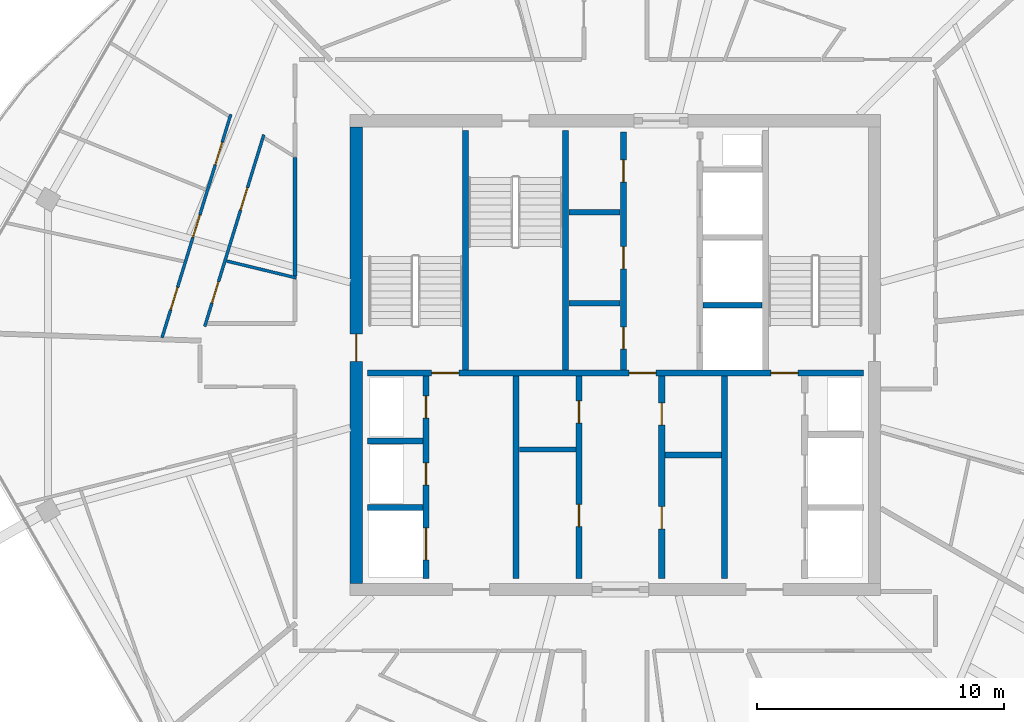
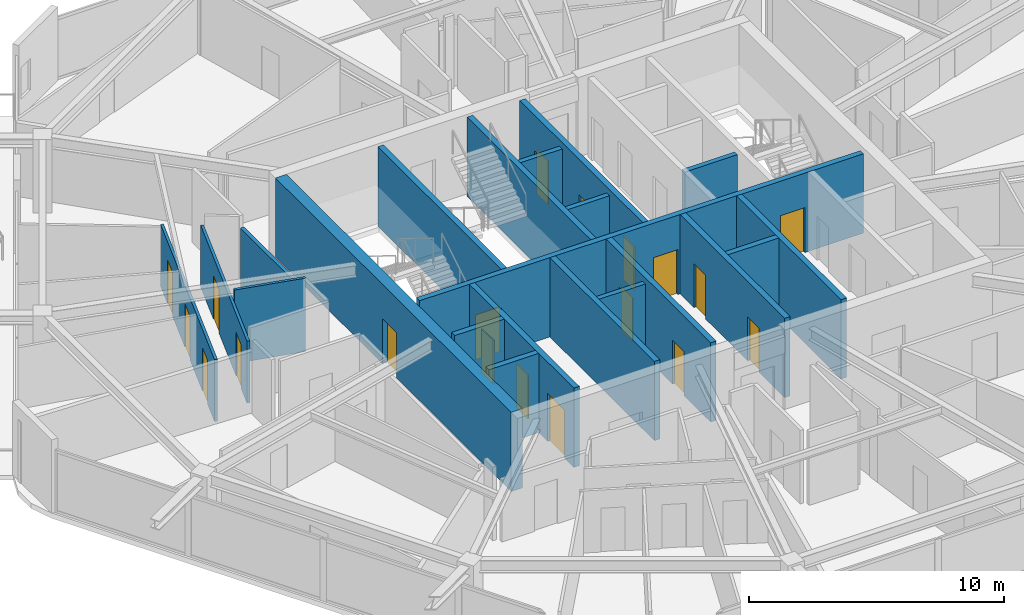
# One storey, part 16 of 23: 21 walls, 19 doors, 19 openings.
"""IFC4 building model written with IfcOpenShell, lengths in metres."""

from ifc_helpers import new_model, si_unit, direction, frame, frame_2d, origin, place, context, subcontext, project, spatial, rectangle, extrude, material, layer, layer_set, type_object, element, fill, save


model = new_model("IFC4")

# Units and contexts
model_context = context("Model", 3, precision=1e-05, world=origin(), true_north=direction((0.0, 1.0)))
body_context = subcontext(model_context, "Body", "Model", "MODEL_VIEW")
ifc_project = project(units=[si_unit("LENGTHUNIT", "METRE"), si_unit("AREAUNIT", "SQUARE_METRE"), si_unit("VOLUMEUNIT", "CUBIC_METRE"), si_unit("PLANEANGLEUNIT", "RADIAN"), si_unit("MASSUNIT", "GRAM", prefix="KILO")], contexts=[model_context])

# Site, building, storey
site_placement = place(None, origin())
site = spatial("IfcSite", under=ifc_project, at=site_placement, CompositionType="ELEMENT")
building_placement = place(site_placement, origin())
building = spatial("IfcBuilding", under=site, at=building_placement, Name="Zuhravey Tower", CompositionType="ELEMENT")
storey_placement = place(building_placement, frame((0.0, 0.0, 350.0)))
storey = spatial("IfcBuildingStorey", under=building, at=storey_placement, Name="L89", CompositionType="ELEMENT", Elevation=350.0)

# Wall, opening, door
ifc_material_1 = material(Name="Concrete C50/60", Category="concrete")
ifc_layer_1 = layer(ifc_material_1, 0.5)
ifc_layer_set_1 = layer_set([ifc_layer_1], Name="Concrete C50/60")
wall_type_1 = type_object("IfcWallType", Name="Core Shear Wall 500", PredefinedType="SHEAR", material=ifc_layer_set_1)
wall_1_placement = place(storey_placement, frame((25.5, 22.75, 0.0), z_axis=(0.0, 0.0, 1.0), x_axis=(0.0, 1.0, 0.0)))
wall_1 = element("IfcWall", 1, at=wall_1_placement, inside=storey, type_object=wall_type_1, Name="L89 West Core Shear Wall CW50", PredefinedType="SHEAR", context=body_context, shape_type="SweptSolid", body=[
    extrude(rectangle(XDim=18.5, YDim=0.5, at=frame_2d((9.25, 0.0))), origin(), (0.0, 0.0, 1.0), 3.800048828125),
])
opening_1_placement = place(wall_1_placement, frame((9.0, 0.0, 0.0)))
opening_1 = element("IfcOpeningElement", 2, at=opening_1_placement, cuts=wall_1, Name="Opening STD1", PredefinedType="OPENING", context=body_context, shape_type="SweptSolid", body=[
    extrude(rectangle(XDim=1.10009765625, YDim=2.14990234375, at=frame_2d((0.550048828125, 1.074951171875))), frame((0.0, 0.261962890625, 0.0), z_axis=(0.0, -1.0, 0.0), x_axis=(1.0, 0.0, 0.0)), (0.0, 0.0, 1.0), 0.52392578125),
])
ifc_material_2 = material(Name="Galvanised fire-rated steel leaf", Category="steel")
door_type_1 = type_object("IfcDoorType", Name="Protected Stair Fire Door 1100x2150", OperationType="NOTDEFINED", PredefinedType="USERDEFINED", material=ifc_material_2)
door_1_placement = place(opening_1_placement, frame((1.10009765625, 0.0, 0.0), z_axis=(0.0, 0.0, 1.0), x_axis=(-1.0, 0.0, 0.0)))
door_1 = element("IfcDoor", 3, at=door_1_placement, inside=storey, type_object=door_type_1, Name="L89 Stair ST1 Door", ObjectType="EXITDOOR", OperationType="SINGLE_SWING_RIGHT", OverallHeight=2.14990234375, OverallWidth=1.10009765625, PredefinedType="USERDEFINED", context=body_context, shape_type="SweptSolid", body=[
    extrude(rectangle(XDim=1.10009765625, YDim=2.14990234375, at=frame_2d((0.550048828125, 1.074951171875))), frame((0.0, 0.02490234375, 0.0), z_axis=(0.0, -1.0, 0.0), x_axis=(1.0, 0.0, 0.0)), (0.0, 0.0, 1.0), 0.050048828125),
])
fill(opening_1, door_1)

# Wall
ifc_material_3 = material(Name="Gypsum fire-rated stud partition")
ifc_layer_2 = layer(ifc_material_3, 0.159912109375)
ifc_layer_set_2 = layer_set([ifc_layer_2], Name="Gypsum fire-rated stud partition")
wall_type_2 = type_object("IfcWallType", Name="Corridor Fire Partition 160", PredefinedType="PARTITIONING", material=ifc_layer_set_2)
wall_2_placement = place(storey_placement, frame((23.02001953125, 40.005615234375, 0.0), z_axis=(0.0, 0.0, 1.0), x_axis=(0.0, -1.0, 0.0)))
element("IfcWall", 4, at=wall_2_placement, inside=storey, type_object=wall_type_2, Name="L89 IW16 Partition 110", PredefinedType="PARTITIONING", context=body_context, shape_type="SweptSolid", body=[
    extrude(rectangle(XDim=4.792724609375, YDim=0.159912109375, at=frame_2d((2.396484375, 0.0))), origin(), (0.0, 0.0, 1.0), 2.969970703125),
])

# Wall, openings, doors
ifc_layer_3 = layer(ifc_material_1, 0.25)
ifc_layer_set_3 = layer_set([ifc_layer_3], Name="Concrete C50/60")
wall_type_3 = type_object("IfcWallType", Name="Firefighting Shaft & Stair Wall 250", PredefinedType="SOLIDWALL", material=ifc_layer_set_3)
wall_3_placement = place(storey_placement, frame((25.949951171875, 31.27490234375, 0.0), z_axis=(0.0, 0.0, 1.0), x_axis=(1.0, 0.0, 0.0)))
wall_3 = element("IfcWall", 5, at=wall_3_placement, inside=storey, type_object=wall_type_3, Name="L89 FW25 Shaft Wall 003", PredefinedType="SOLIDWALL", context=body_context, shape_type="SweptSolid", body=[
    extrude(rectangle(XDim=20.10009765625, YDim=0.25, at=frame_2d((10.050048828125, 0.0))), origin(), (0.0, 0.0, 1.0), 3.800048828125),
])
opening_2_placement = place(wall_3_placement, frame((2.60009765625, 0.0, 0.0)))
opening_2 = element("IfcOpeningElement", 6, at=opening_2_placement, cuts=wall_3, Name="Opening STD1", PredefinedType="OPENING", context=body_context, shape_type="SweptSolid", body=[
    extrude(rectangle(XDim=1.10009765625, YDim=2.14990234375, at=frame_2d((0.550048828125, 1.074951171875))), frame((0.0, 0.136962890625, 0.0), z_axis=(0.0, -1.0, 0.0), x_axis=(1.0, 0.0, 0.0)), (0.0, 0.0, 1.0), 0.27392578125),
])
opening_3_placement = place(wall_3_placement, frame((10.60009765625, 0.0, 0.0)))
opening_3 = element("IfcOpeningElement", 7, at=opening_3_placement, cuts=wall_3, Name="Opening STD1", PredefinedType="OPENING", context=body_context, shape_type="SweptSolid", body=[
    extrude(rectangle(XDim=1.10009765625, YDim=2.14990234375, at=frame_2d((0.550048828125, 1.074951171875))), frame((0.0, 0.136962890625, 0.0), z_axis=(0.0, -1.0, 0.0), x_axis=(1.0, 0.0, 0.0)), (0.0, 0.0, 1.0), 0.27392578125),
])
opening_4_placement = place(wall_3_placement, frame((16.35009765625, 0.0, 0.0)))
opening_4 = element("IfcOpeningElement", 8, at=opening_4_placement, cuts=wall_3, Name="Opening STD1", PredefinedType="OPENING", context=body_context, shape_type="SweptSolid", body=[
    extrude(rectangle(XDim=1.10009765625, YDim=2.14990234375, at=frame_2d((0.550048828125, 1.074951171875))), frame((0.0, 0.136962890625, 0.0), z_axis=(0.0, -1.0, 0.0), x_axis=(1.0, 0.0, 0.0)), (0.0, 0.0, 1.0), 0.27392578125),
])
door_2_placement = place(opening_2_placement, origin())
door_2 = element("IfcDoor", 9, at=door_2_placement, inside=storey, type_object=door_type_1, Name="L89 FFL-W to ST1 Door", ObjectType="EXITDOOR", OperationType="SINGLE_SWING_LEFT", OverallHeight=2.14990234375, OverallWidth=1.10009765625, PredefinedType="USERDEFINED", context=body_context, shape_type="SweptSolid", body=[
    extrude(rectangle(XDim=1.10009765625, YDim=2.14990234375, at=frame_2d((0.550048828125, 1.074951171875))), frame((0.0, 0.02490234375, 0.0), z_axis=(0.0, -1.0, 0.0), x_axis=(1.0, 0.0, 0.0)), (0.0, 0.0, 1.0), 0.050048828125),
])
fill(opening_2, door_2)
door_3_placement = place(opening_3_placement, origin())
door_3 = element("IfcDoor", 10, at=door_3_placement, inside=storey, type_object=door_type_1, Name="L89 Core Lobby Link Door", ObjectType="EXITDOOR", OperationType="SINGLE_SWING_RIGHT", OverallHeight=2.14990234375, OverallWidth=1.10009765625, PredefinedType="USERDEFINED", context=body_context, shape_type="SweptSolid", body=[
    extrude(rectangle(XDim=1.10009765625, YDim=2.14990234375, at=frame_2d((0.550048828125, 1.074951171875))), frame((0.0, 0.02490234375, 0.0), z_axis=(0.0, -1.0, 0.0), x_axis=(1.0, 0.0, 0.0)), (0.0, 0.0, 1.0), 0.050048828125),
])
fill(opening_3, door_3)
door_4_placement = place(opening_4_placement, origin())
door_4 = element("IfcDoor", 11, at=door_4_placement, inside=storey, type_object=door_type_1, Name="L89 FFL-E to ST2 Door", ObjectType="EXITDOOR", OperationType="SINGLE_SWING_LEFT", OverallHeight=2.14990234375, OverallWidth=1.10009765625, PredefinedType="USERDEFINED", context=body_context, shape_type="SweptSolid", body=[
    extrude(rectangle(XDim=1.10009765625, YDim=2.14990234375, at=frame_2d((0.550048828125, 1.074951171875))), frame((0.0, 0.02490234375, 0.0), z_axis=(0.0, -1.0, 0.0), x_axis=(1.0, 0.0, 0.0)), (0.0, 0.0, 1.0), 0.050048828125),
])
fill(opening_4, door_4)

# Walls
for number, where, z_axis, x_axis, name in (
    (12, (29.925048828125, 31.39990234375, 0.0), (0.0, 0.0, 1.0), (0.0, 1.0, 0.0), "L89 FW25 Shaft Wall 004"),
    (13, (33.97509765625, 31.39990234375, 0.0), (0.0, 0.0, 1.0), (0.0, 1.0, 0.0), "L89 FW25 Shaft Wall 005"),
):
    element("IfcWall", number, at=place(storey_placement, frame(where, z_axis=z_axis, x_axis=x_axis)), inside=storey, type_object=wall_type_3, Name=name, PredefinedType="SOLIDWALL", context=body_context, shape_type="SweptSolid", body=[
        extrude(rectangle(XDim=9.7001953125, YDim=0.25, at=frame_2d((4.85009765625, 0.0))), origin(), (0.0, 0.0, 1.0), 3.800048828125),
    ])

# Wall, openings, doors
wall_4_placement = place(storey_placement, frame((36.324951171875, 31.39990234375, 0.0), z_axis=(0.0, 0.0, 1.0), x_axis=(0.0, 1.0, 0.0)))
wall_4 = element("IfcWall", 14, at=wall_4_placement, inside=storey, type_object=wall_type_3, Name="L89 FW25 Shaft Wall 007", PredefinedType="SOLIDWALL", context=body_context, shape_type="SweptSolid", body=[
    extrude(rectangle(XDim=9.650146484375, YDim=0.25, at=frame_2d((4.8251953125, 0.0))), origin(), (0.0, 0.0, 1.0), 3.800048828125),
])
opening_5_placement = place(wall_4_placement, frame((0.840087890625, 0.0, 0.0)))
opening_5 = element("IfcOpeningElement", 15, at=opening_5_placement, cuts=wall_4, Name="Opening RSD1", PredefinedType="OPENING", context=body_context, shape_type="SweptSolid", body=[
    extrude(rectangle(XDim=0.89990234375, YDim=2.10009765625, at=frame_2d((0.449951171875, 1.050048828125))), frame((0.0, 0.136962890625, 0.0), z_axis=(0.0, -1.0, 0.0), x_axis=(1.0, 0.0, 0.0)), (0.0, 0.0, 1.0), 0.27392578125),
])
opening_6_placement = place(wall_4_placement, frame((4.10009765625, 0.0, 0.0)))
opening_6 = element("IfcOpeningElement", 16, at=opening_6_placement, cuts=wall_4, Name="Opening RSD1", PredefinedType="OPENING", context=body_context, shape_type="SweptSolid", body=[
    extrude(rectangle(XDim=0.89990234375, YDim=2.10009765625, at=frame_2d((0.449951171875, 1.050048828125))), frame((0.0, 0.136962890625, 0.0), z_axis=(0.0, -1.0, 0.0), x_axis=(1.0, 0.0, 0.0)), (0.0, 0.0, 1.0), 0.27392578125),
])
opening_7_placement = place(wall_4_placement, frame((7.610107421875, 0.0, 0.0)))
opening_7 = element("IfcOpeningElement", 17, at=opening_7_placement, cuts=wall_4, Name="Opening RSD1", PredefinedType="OPENING", context=body_context, shape_type="SweptSolid", body=[
    extrude(rectangle(XDim=0.89990234375, YDim=2.10009765625, at=frame_2d((0.449951171875, 1.050048828125))), frame((0.0, 0.136962890625, 0.0), z_axis=(0.0, -1.0, 0.0), x_axis=(1.0, 0.0, 0.0)), (0.0, 0.0, 1.0), 0.27392578125),
])
ifc_material_4 = material(Name="Galvanised fire-rated steel access leaf", Category="steel")
door_type_2 = type_object("IfcDoorType", Name="Riser & Shaft Access Fire Door 900x2100", OperationType="NOTDEFINED", PredefinedType="DOOR", material=ifc_material_4)
door_5_placement = place(opening_5_placement, origin())
door_5 = element("IfcDoor", 18, at=door_5_placement, inside=storey, type_object=door_type_2, Name="L89 Core Staff WC Door", OperationType="SINGLE_SWING_RIGHT", OverallHeight=2.10009765625, OverallWidth=0.89990234375, PredefinedType="DOOR", context=body_context, shape_type="SweptSolid", body=[
    extrude(rectangle(XDim=0.89990234375, YDim=2.10009765625, at=frame_2d((0.449951171875, 1.050048828125))), frame((0.0, 0.02490234375, 0.0), z_axis=(0.0, -1.0, 0.0), x_axis=(1.0, 0.0, 0.0)), (0.0, 0.0, 1.0), 0.050048828125),
])
fill(opening_5, door_5)
door_6_placement = place(opening_6_placement, origin())
door_6 = element("IfcDoor", 19, at=door_6_placement, inside=storey, type_object=door_type_2, Name="L89 IT and Comms Room Door", OperationType="SINGLE_SWING_LEFT", OverallHeight=2.10009765625, OverallWidth=0.89990234375, PredefinedType="DOOR", context=body_context, shape_type="SweptSolid", body=[
    extrude(rectangle(XDim=0.89990234375, YDim=2.10009765625, at=frame_2d((0.449951171875, 1.050048828125))), frame((0.0, 0.02490234375, 0.0), z_axis=(0.0, -1.0, 0.0), x_axis=(1.0, 0.0, 0.0)), (0.0, 0.0, 1.0), 0.050048828125),
])
fill(opening_6, door_6)
door_7_placement = place(opening_7_placement, origin())
door_7 = element("IfcDoor", 20, at=door_7_placement, inside=storey, type_object=door_type_2, Name="L89 Janitor Linen Store Door", OperationType="SINGLE_SWING_RIGHT", OverallHeight=2.10009765625, OverallWidth=0.89990234375, PredefinedType="DOOR", context=body_context, shape_type="SweptSolid", body=[
    extrude(rectangle(XDim=0.89990234375, YDim=2.10009765625, at=frame_2d((0.449951171875, 1.050048828125))), frame((0.0, 0.02490234375, 0.0), z_axis=(0.0, -1.0, 0.0), x_axis=(1.0, 0.0, 0.0)), (0.0, 0.0, 1.0), 0.050048828125),
])
fill(opening_7, door_7)

# Walls
for number, where, z_axis, x_axis, name in (
    (21, (25.949951171875, 25.824951171875, 0.0), (0.0, 0.0, 1.0), (1.0, 0.0, 0.0), "L89 FW25 Shaft Wall 009"),
    (22, (25.949951171875, 28.52490234375, 0.0), (0.0, 0.0, 1.0), (1.0, 0.0, 0.0), "L89 FW25 Shaft Wall 010"),
):
    element("IfcWall", number, at=place(storey_placement, frame(where, z_axis=z_axis, x_axis=x_axis)), inside=storey, type_object=wall_type_3, Name=name, PredefinedType="SOLIDWALL", context=body_context, shape_type="SweptSolid", body=[
        extrude(rectangle(XDim=2.25, YDim=0.25, at=frame_2d((1.125, 0.0))), origin(), (0.0, 0.0, 1.0), 3.800048828125),
    ])

# Wall, openings, doors
wall_5_placement = place(storey_placement, frame((28.324951171875, 22.949951171875, 0.0), z_axis=(0.0, 0.0, 1.0), x_axis=(0.0, 1.0, 0.0)))
wall_5 = element("IfcWall", 23, at=wall_5_placement, inside=storey, type_object=wall_type_3, Name="L89 FW25 Shaft Wall 011", PredefinedType="SOLIDWALL", context=body_context, shape_type="SweptSolid", body=[
    extrude(rectangle(XDim=8.199951171875, YDim=0.25, at=frame_2d((4.10009765625, 0.0))), origin(), (0.0, 0.0, 1.0), 3.800048828125),
])
opening_8_placement = place(wall_5_placement, frame((0.75, 0.0, 0.0)))
opening_8 = element("IfcOpeningElement", 24, at=opening_8_placement, cuts=wall_5, Name="Opening LD2", PredefinedType="OPENING", context=body_context, shape_type="SweptSolid", body=[
    extrude(rectangle(XDim=1.300048828125, YDim=2.300048828125, at=frame_2d((0.64990234375, 1.14990234375))), frame((0.0, 0.136962890625, 0.0), z_axis=(0.0, -1.0, 0.0), x_axis=(1.0, 0.0, 0.0)), (0.0, 0.0, 1.0), 0.27392578125),
])
opening_9_placement = place(wall_5_placement, frame((3.780029296875, 0.0, 0.0)))
opening_9 = element("IfcOpeningElement", 25, at=opening_9_placement, cuts=wall_5, Name="Opening RSD1", PredefinedType="OPENING", context=body_context, shape_type="SweptSolid", body=[
    extrude(rectangle(XDim=0.89990234375, YDim=2.10009765625, at=frame_2d((0.449951171875, 1.050048828125))), frame((0.0, 0.136962890625, 0.0), z_axis=(0.0, -1.0, 0.0), x_axis=(1.0, 0.0, 0.0)), (0.0, 0.0, 1.0), 0.27392578125),
])
opening_10_placement = place(wall_5_placement, frame((6.5, 0.0, 0.0)))
opening_10 = element("IfcOpeningElement", 26, at=opening_10_placement, cuts=wall_5, Name="Opening RSD1", PredefinedType="OPENING", context=body_context, shape_type="SweptSolid", body=[
    extrude(rectangle(XDim=0.89990234375, YDim=2.10009765625, at=frame_2d((0.449951171875, 1.050048828125))), frame((0.0, 0.136962890625, 0.0), z_axis=(0.0, -1.0, 0.0), x_axis=(1.0, 0.0, 0.0)), (0.0, 0.0, 1.0), 0.27392578125),
])
ifc_material_5 = material(Name="Brushed stainless steel", Category="steel")
door_type_3 = type_object("IfcDoorType", Name="Freight & Stretcher Lift Sliding Door 1300x2300", OperationType="DOUBLE_DOOR_SLIDING", PredefinedType="DOOR", material=ifc_material_5)
door_8_placement = place(opening_8_placement, frame((1.300048828125, 0.0, 0.0), z_axis=(0.0, 0.0, 1.0), x_axis=(-1.0, 0.0, 0.0)))
door_8 = element("IfcDoor", 27, at=door_8_placement, inside=storey, type_object=door_type_3, Name="L89 Lift FF1 Landing Door", OperationType="DOUBLE_DOOR_SLIDING", OverallHeight=2.300048828125, OverallWidth=1.300048828125, PredefinedType="DOOR", context=body_context, shape_type="SweptSolid", body=[
    extrude(rectangle(XDim=1.300048828125, YDim=2.300048828125, at=frame_2d((0.64990234375, 1.14990234375))), frame((0.0, 0.02490234375, 0.0), z_axis=(0.0, -1.0, 0.0), x_axis=(1.0, 0.0, 0.0)), (0.0, 0.0, 1.0), 0.050048828125),
])
fill(opening_8, door_8)
door_9_placement = place(opening_9_placement, frame((0.89990234375, 0.0, 0.0), z_axis=(0.0, 0.0, 1.0), x_axis=(-1.0, 0.0, 0.0)))
door_9 = element("IfcDoor", 28, at=door_9_placement, inside=storey, type_object=door_type_2, Name="L89 Electrical Riser Door", OperationType="SINGLE_SWING_RIGHT", OverallHeight=2.10009765625, OverallWidth=0.89990234375, PredefinedType="DOOR", context=body_context, shape_type="SweptSolid", body=[
    extrude(rectangle(XDim=0.89990234375, YDim=2.10009765625, at=frame_2d((0.449951171875, 1.050048828125))), frame((0.0, 0.02490234375, 0.0), z_axis=(0.0, -1.0, 0.0), x_axis=(1.0, 0.0, 0.0)), (0.0, 0.0, 1.0), 0.050048828125),
])
fill(opening_9, door_9)
door_10_placement = place(opening_10_placement, frame((0.89990234375, 0.0, 0.0), z_axis=(0.0, 0.0, 1.0), x_axis=(-1.0, 0.0, 0.0)))
door_10 = element("IfcDoor", 29, at=door_10_placement, inside=storey, type_object=door_type_2, Name="L89 Smoke Shaft Access Door", OperationType="SINGLE_SWING_LEFT", OverallHeight=2.10009765625, OverallWidth=0.89990234375, PredefinedType="DOOR", context=body_context, shape_type="SweptSolid", body=[
    extrude(rectangle(XDim=0.89990234375, YDim=2.10009765625, at=frame_2d((0.449951171875, 1.050048828125))), frame((0.0, 0.02490234375, 0.0), z_axis=(0.0, -1.0, 0.0), x_axis=(1.0, 0.0, 0.0)), (0.0, 0.0, 1.0), 0.050048828125),
])
fill(opening_10, door_10)

# Wall
wall_6_placement = place(storey_placement, frame((31.97509765625, 22.949951171875, 0.0), z_axis=(0.0, 0.0, 1.0), x_axis=(0.0, 1.0, 0.0)))
element("IfcWall", 30, at=wall_6_placement, inside=storey, type_object=wall_type_3, Name="L89 FW25 Shaft Wall 012", PredefinedType="SOLIDWALL", context=body_context, shape_type="SweptSolid", body=[
    extrude(rectangle(XDim=8.199951171875, YDim=0.25, at=frame_2d((4.10009765625, 0.0))), origin(), (0.0, 0.0, 1.0), 3.800048828125),
])

# Wall, openings, doors
wall_7_placement = place(storey_placement, frame((34.52490234375, 22.949951171875, 0.0), z_axis=(0.0, 0.0, 1.0), x_axis=(0.0, 1.0, 0.0)))
wall_7 = element("IfcWall", 31, at=wall_7_placement, inside=storey, type_object=wall_type_3, Name="L89 FW25 Shaft Wall 013", PredefinedType="SOLIDWALL", context=body_context, shape_type="SweptSolid", body=[
    extrude(rectangle(XDim=8.199951171875, YDim=0.25, at=frame_2d((4.10009765625, 0.0))), origin(), (0.0, 0.0, 1.0), 3.800048828125),
])
opening_11_placement = place(wall_7_placement, frame((2.10009765625, 0.0, 0.0)))
opening_11 = element("IfcOpeningElement", 32, at=opening_11_placement, cuts=wall_7, Name="Opening RSD1", PredefinedType="OPENING", context=body_context, shape_type="SweptSolid", body=[
    extrude(rectangle(XDim=0.89990234375, YDim=2.10009765625, at=frame_2d((0.449951171875, 1.050048828125))), frame((0.0, 0.136962890625, 0.0), z_axis=(0.0, -1.0, 0.0), x_axis=(1.0, 0.0, 0.0)), (0.0, 0.0, 1.0), 0.27392578125),
])
opening_12_placement = place(wall_7_placement, frame((6.300048828125, 0.0, 0.0)))
opening_12 = element("IfcOpeningElement", 33, at=opening_12_placement, cuts=wall_7, Name="Opening RSD1", PredefinedType="OPENING", context=body_context, shape_type="SweptSolid", body=[
    extrude(rectangle(XDim=0.89990234375, YDim=2.10009765625, at=frame_2d((0.449951171875, 1.050048828125))), frame((0.0, 0.136962890625, 0.0), z_axis=(0.0, -1.0, 0.0), x_axis=(1.0, 0.0, 0.0)), (0.0, 0.0, 1.0), 0.27392578125),
])
door_11_placement = place(opening_11_placement, origin())
door_11 = element("IfcDoor", 34, at=door_11_placement, inside=storey, type_object=door_type_2, Name="L89 Housekeeping Store Door", OperationType="SINGLE_SWING_RIGHT", OverallHeight=2.10009765625, OverallWidth=0.89990234375, PredefinedType="DOOR", context=body_context, shape_type="SweptSolid", body=[
    extrude(rectangle(XDim=0.89990234375, YDim=2.10009765625, at=frame_2d((0.449951171875, 1.050048828125))), frame((0.0, 0.02490234375, 0.0), z_axis=(0.0, -1.0, 0.0), x_axis=(1.0, 0.0, 0.0)), (0.0, 0.0, 1.0), 0.050048828125),
])
fill(opening_11, door_11)
door_12_placement = place(opening_12_placement, origin())
door_12 = element("IfcDoor", 35, at=door_12_placement, inside=storey, type_object=door_type_2, Name="L89 Comms Closet Door", OperationType="SINGLE_SWING_LEFT", OverallHeight=2.10009765625, OverallWidth=0.89990234375, PredefinedType="DOOR", context=body_context, shape_type="SweptSolid", body=[
    extrude(rectangle(XDim=0.89990234375, YDim=2.10009765625, at=frame_2d((0.449951171875, 1.050048828125))), frame((0.0, 0.02490234375, 0.0), z_axis=(0.0, -1.0, 0.0), x_axis=(1.0, 0.0, 0.0)), (0.0, 0.0, 1.0), 0.050048828125),
])
fill(opening_12, door_12)

# Wall
wall_8_placement = place(storey_placement, frame((38.0, 27.949951171875, 0.0), z_axis=(0.0, 0.0, 1.0), x_axis=(1.0, 0.0, 0.0)))
element("IfcWall", 36, at=wall_8_placement, inside=storey, type_object=wall_type_3, Name="L89 FW25 Shaft Wall 014", PredefinedType="SOLIDWALL", context=body_context, shape_type="SweptSolid", body=[
    extrude(rectangle(XDim=2.300048828125, YDim=0.25, at=frame_2d((1.14990234375, 0.0))), origin(), (0.0, 0.0, 1.0), 3.800048828125),
])

# Wall, openings, doors
wall_9_placement = place(storey_placement, frame((37.875, 22.949951171875, 0.0), z_axis=(0.0, 0.0, 1.0), x_axis=(0.0, 1.0, 0.0)))
wall_9 = element("IfcWall", 37, at=wall_9_placement, inside=storey, type_object=wall_type_3, Name="L89 FW25 Shaft Wall 015", PredefinedType="SOLIDWALL", context=body_context, shape_type="SweptSolid", body=[
    extrude(rectangle(XDim=8.199951171875, YDim=0.25, at=frame_2d((4.10009765625, 0.0))), origin(), (0.0, 0.0, 1.0), 3.800048828125),
])
opening_13_placement = place(wall_9_placement, frame((2.012451171875, 0.0, 0.0)))
opening_13 = element("IfcOpeningElement", 38, at=opening_13_placement, cuts=wall_9, Name="Opening RSD1", PredefinedType="OPENING", context=body_context, shape_type="SweptSolid", body=[
    extrude(rectangle(XDim=0.89990234375, YDim=2.10009765625, at=frame_2d((0.449951171875, 1.050048828125))), frame((0.0, 0.136962890625, 0.0), z_axis=(0.0, -1.0, 0.0), x_axis=(1.0, 0.0, 0.0)), (0.0, 0.0, 1.0), 0.27392578125),
])
opening_14_placement = place(wall_9_placement, frame((6.21240234375, 0.0, 0.0)))
opening_14 = element("IfcOpeningElement", 39, at=opening_14_placement, cuts=wall_9, Name="Opening RSD1", PredefinedType="OPENING", context=body_context, shape_type="SweptSolid", body=[
    extrude(rectangle(XDim=0.89990234375, YDim=2.10009765625, at=frame_2d((0.449951171875, 1.050048828125))), frame((0.0, 0.136962890625, 0.0), z_axis=(0.0, -1.0, 0.0), x_axis=(1.0, 0.0, 0.0)), (0.0, 0.0, 1.0), 0.27392578125),
])
door_13_placement = place(opening_13_placement, frame((0.89990234375, 0.0, 0.0), z_axis=(0.0, 0.0, 1.0), x_axis=(-1.0, 0.0, 0.0)))
door_13 = element("IfcDoor", 40, at=door_13_placement, inside=storey, type_object=door_type_2, Name="L89 Trunk Store Door", OperationType="SINGLE_SWING_RIGHT", OverallHeight=2.10009765625, OverallWidth=0.89990234375, PredefinedType="DOOR", context=body_context, shape_type="SweptSolid", body=[
    extrude(rectangle(XDim=0.89990234375, YDim=2.10009765625, at=frame_2d((0.449951171875, 1.050048828125))), frame((0.0, 0.02490234375, 0.0), z_axis=(0.0, -1.0, 0.0), x_axis=(1.0, 0.0, 0.0)), (0.0, 0.0, 1.0), 0.050048828125),
])
fill(opening_13, door_13)
door_14_placement = place(opening_14_placement, frame((0.89990234375, 0.0, 0.0), z_axis=(0.0, 0.0, 1.0), x_axis=(-1.0, 0.0, 0.0)))
door_14 = element("IfcDoor", 41, at=door_14_placement, inside=storey, type_object=door_type_2, Name="L89 Fiber Room Door", OperationType="SINGLE_SWING_LEFT", OverallHeight=2.10009765625, OverallWidth=0.89990234375, PredefinedType="DOOR", context=body_context, shape_type="SweptSolid", body=[
    extrude(rectangle(XDim=0.89990234375, YDim=2.10009765625, at=frame_2d((0.449951171875, 1.050048828125))), frame((0.0, 0.02490234375, 0.0), z_axis=(0.0, -1.0, 0.0), x_axis=(1.0, 0.0, 0.0)), (0.0, 0.0, 1.0), 0.050048828125),
])
fill(opening_14, door_14)

# Walls
wall_10_placement = place(storey_placement, frame((40.425048828125, 22.949951171875, 0.0), z_axis=(0.0, 0.0, 1.0), x_axis=(0.0, 1.0, 0.0)))
element("IfcWall", 42, at=wall_10_placement, inside=storey, type_object=wall_type_3, Name="L89 FW25 Shaft Wall 016", PredefinedType="SOLIDWALL", context=body_context, shape_type="SweptSolid", body=[
    extrude(rectangle(XDim=8.199951171875, YDim=0.25, at=frame_2d((4.10009765625, 0.0))), origin(), (0.0, 0.0, 1.0), 3.800048828125),
])
ifc_material_6 = material(Name="Gypsum acoustic stud assembly")
ifc_layer_4 = layer(ifc_material_6, 0.219970703125)
ifc_layer_set_4 = layer_set([ifc_layer_4], Name="Gypsum acoustic stud assembly")
wall_type_4 = type_object("IfcWallType", Name="School Acoustic Compartment Wall 220", PredefinedType="PARTITIONING", material=ifc_layer_set_4)
for number, where, z_axis, x_axis, name in (
    (43, (34.10791015625, 34.10009765625, 0.0), (0.0, 0.0, 1.0), (1.0, 0.0, 0.0), "L89 IW22 Partition 051"),
    (44, (34.10791015625, 37.800048828125, 0.0), (0.0, 0.0, 1.0), (1.0, 0.0, 0.0), "L89 IW22 Partition 052"),
):
    element("IfcWall", number, at=place(storey_placement, frame(where, z_axis=z_axis, x_axis=x_axis)), inside=storey, type_object=wall_type_4, Name=name, PredefinedType="PARTITIONING", context=body_context, shape_type="SweptSolid", body=[
        extrude(rectangle(XDim=2.083984375, YDim=0.219970703125, at=frame_2d((1.0419921875, 0.0))), origin(), (0.0, 0.0, 1.0), 3.52001953125),
    ])
wall_11_placement = place(storey_placement, frame((39.55810546875, 34.02490234375, 0.0), z_axis=(0.0, 0.0, 1.0), x_axis=(1.0, 0.0, 0.0)))
element("IfcWall", 45, at=wall_11_placement, inside=storey, type_object=wall_type_4, Name="L89 IW22 Partition 053", PredefinedType="PARTITIONING", context=body_context, shape_type="SweptSolid", body=[
    extrude(rectangle(XDim=2.3837890625, YDim=0.219970703125, at=frame_2d((1.19189453125, 0.0))), origin(), (0.0, 0.0, 1.0), 3.52001953125),
])
wall_12_placement = place(storey_placement, frame((32.10791015625, 28.175048828125, 0.0), z_axis=(0.0, 0.0, 1.0), x_axis=(1.0, 0.0, 0.0)))
element("IfcWall", 46, at=wall_12_placement, inside=storey, type_object=wall_type_4, Name="L89 IW22 Partition 056", PredefinedType="PARTITIONING", context=body_context, shape_type="SweptSolid", body=[
    extrude(rectangle(XDim=2.2841796875, YDim=0.219970703125, at=frame_2d((1.14208984375, 0.0))), origin(), (0.0, 0.0, 1.0), 3.52001953125),
])

# Wall, openings, doors
ifc_material_7 = material(Name="Gypsum metal-stud partition")
ifc_layer_5 = layer(ifc_material_7, 0.1201171875)
ifc_layer_set_5 = layer_set([ifc_layer_5], Name="Gypsum metal-stud partition")
wall_type_5 = type_object("IfcWallType", Name="Unit Internal Partition 120", PredefinedType="PARTITIONING", material=ifc_layer_set_5)
wall_13_placement = place(storey_placement, frame((21.747802734375, 40.93359375, 0.0), z_axis=(0.0, 0.0, 1.0), x_axis=(-0.294353697783, -0.955696552574, 0.0)))
wall_13 = element("IfcWall", 47, at=wall_13_placement, inside=storey, type_object=wall_type_5, Name="L89 IW12 Partition 027", PredefinedType="PARTITIONING", context=body_context, shape_type="SweptSolid", body=[
    extrude(rectangle(XDim=8.134033203125, YDim=0.1201171875, at=frame_2d((4.06689453125, 0.0))), origin(), (0.0, 0.0, 1.0), 2.969970703125),
])
opening_15_placement = place(wall_13_placement, frame((2.24609375, 0.0, 0.0)))
opening_15 = element("IfcOpeningElement", 48, at=opening_15_placement, cuts=wall_13, Name="Opening IND1", PredefinedType="OPENING", context=body_context, shape_type="SweptSolid", body=[
    extrude(rectangle(XDim=0.949951171875, YDim=2.10009765625, at=frame_2d((0.47509765625, 1.050048828125))), frame((0.0, 0.072021484375, 0.0), z_axis=(0.0, -1.0, 0.0), x_axis=(1.0, 0.0, 0.0)), (0.0, 0.0, 1.0), 0.14404296875),
])
opening_16_placement = place(wall_13_placement, frame((6.23388671875, 0.0, 0.0)))
opening_16 = element("IfcOpeningElement", 49, at=opening_16_placement, cuts=wall_13, Name="Opening WCD1", PredefinedType="OPENING", context=body_context, shape_type="SweptSolid", body=[
    extrude(rectangle(XDim=0.89990234375, YDim=2.10009765625, at=frame_2d((0.449951171875, 1.050048828125))), frame((0.0, 0.072021484375, 0.0), z_axis=(0.0, -1.0, 0.0), x_axis=(1.0, 0.0, 0.0)), (0.0, 0.0, 1.0), 0.14404296875),
])
ifc_material_8 = material(Name="Moisture-resistant timber leaf", Category="wood")
door_type_4 = type_object("IfcDoorType", Name="Bathroom & WC Internal Door 900x2100", OperationType="NOTDEFINED", PredefinedType="DOOR", material=ifc_material_8)
door_15_placement = place(opening_16_placement, origin())
door_15 = element("IfcDoor", 50, at=door_15_placement, inside=storey, type_object=door_type_4, Name="Apartment L89-03 Bathroom Door", OperationType="SINGLE_SWING_RIGHT", OverallHeight=2.10009765625, OverallWidth=0.89990234375, PredefinedType="DOOR", context=body_context, shape_type="SweptSolid", body=[
    extrude(rectangle(XDim=0.89990234375, YDim=2.10009765625, at=frame_2d((0.449951171875, 1.050048828125))), frame((0.0, 0.02490234375, 0.0), z_axis=(0.0, -1.0, 0.0), x_axis=(1.0, 0.0, 0.0)), (0.0, 0.0, 1.0), 0.050048828125),
])
fill(opening_16, door_15)
ifc_material_9 = material(Name="Painted engineered timber leaf", Category="wood")
door_type_5 = type_object("IfcDoorType", Name="Internal Room & Bedroom Door 950x2100", OperationType="NOTDEFINED", PredefinedType="DOOR", material=ifc_material_9)
door_16_placement = place(opening_15_placement, origin())
door_16 = element("IfcDoor", 51, at=door_16_placement, inside=storey, type_object=door_type_5, Name="Apartment L89-03 Kitchen Door", OperationType="SINGLE_SWING_LEFT", OverallHeight=2.10009765625, OverallWidth=0.949951171875, PredefinedType="DOOR", context=body_context, shape_type="SweptSolid", body=[
    extrude(rectangle(XDim=0.949951171875, YDim=2.10009765625, at=frame_2d((0.47509765625, 1.050048828125))), frame((0.0, 0.02490234375, 0.0), z_axis=(0.0, -1.0, 0.0), x_axis=(1.0, 0.0, 0.0)), (0.0, 0.0, 1.0), 0.050048828125),
])
fill(opening_15, door_16)

wall_14_placement = place(storey_placement, frame((20.411865234375, 41.760009765625, 0.0), z_axis=(0.0, 0.0, 1.0), x_axis=(-0.294382698644, -0.955687619853, 0.0)))
wall_14 = element("IfcWall", 52, at=wall_14_placement, inside=storey, type_object=wall_type_5, Name="L89 IW12 Partition 028", PredefinedType="PARTITIONING", context=body_context, shape_type="SweptSolid", body=[
    extrude(rectangle(XDim=9.4775390625, YDim=0.1201171875, at=frame_2d((4.73876953125, 0.0))), origin(), (0.0, 0.0, 1.0), 2.969970703125),
])
opening_17_placement = place(wall_14_placement, frame((1.186767578125, 0.0, 0.0)))
opening_17 = element("IfcOpeningElement", 53, at=opening_17_placement, cuts=wall_14, Name="Opening IND1", PredefinedType="OPENING", context=body_context, shape_type="SweptSolid", body=[
    extrude(rectangle(XDim=0.949951171875, YDim=2.10009765625, at=frame_2d((0.47509765625, 1.050048828125))), frame((0.0, 0.072021484375, 0.0), z_axis=(0.0, -1.0, 0.0), x_axis=(1.0, 0.0, 0.0)), (0.0, 0.0, 1.0), 0.14404296875),
])
opening_18_placement = place(wall_14_placement, frame((4.263916015625, 0.0, 0.0)))
opening_18 = element("IfcOpeningElement", 54, at=opening_18_placement, cuts=wall_14, Name="Opening IND1", PredefinedType="OPENING", context=body_context, shape_type="SweptSolid", body=[
    extrude(rectangle(XDim=0.949951171875, YDim=2.10009765625, at=frame_2d((0.47509765625, 1.050048828125))), frame((0.0, 0.072021484375, 0.0), z_axis=(0.0, -1.0, 0.0), x_axis=(1.0, 0.0, 0.0)), (0.0, 0.0, 1.0), 0.14404296875),
])
opening_19_placement = place(wall_14_placement, frame((7.3408203125, 0.0, 0.0)))
opening_19 = element("IfcOpeningElement", 55, at=opening_19_placement, cuts=wall_14, Name="Opening IND1", PredefinedType="OPENING", context=body_context, shape_type="SweptSolid", body=[
    extrude(rectangle(XDim=0.949951171875, YDim=2.10009765625, at=frame_2d((0.47509765625, 1.050048828125))), frame((0.0, 0.072021484375, 0.0), z_axis=(0.0, -1.0, 0.0), x_axis=(1.0, 0.0, 0.0)), (0.0, 0.0, 1.0), 0.14404296875),
])
door_17_placement = place(opening_17_placement, frame((0.949951171875, 0.0, 0.0), z_axis=(0.0, 0.0, 1.0), x_axis=(-1.0, 0.0, 0.0)))
door_17 = element("IfcDoor", 56, at=door_17_placement, inside=storey, type_object=door_type_5, Name="Apartment L89-03 Bedroom 1 Door", OperationType="SINGLE_SWING_LEFT", OverallHeight=2.10009765625, OverallWidth=0.949951171875, PredefinedType="DOOR", context=body_context, shape_type="SweptSolid", body=[
    extrude(rectangle(XDim=0.949951171875, YDim=2.10009765625, at=frame_2d((0.47509765625, 1.050048828125))), frame((0.0, 0.02490234375, 0.0), z_axis=(0.0, -1.0, 0.0), x_axis=(1.0, 0.0, 0.0)), (0.0, 0.0, 1.0), 0.050048828125),
])
fill(opening_17, door_17)
door_18_placement = place(opening_18_placement, frame((0.949951171875, 0.0, 0.0), z_axis=(0.0, 0.0, 1.0), x_axis=(-1.0, 0.0, 0.0)))
door_18 = element("IfcDoor", 57, at=door_18_placement, inside=storey, type_object=door_type_5, Name="Apartment L89-03 Bedroom 2 Door", OperationType="SINGLE_SWING_RIGHT", OverallHeight=2.10009765625, OverallWidth=0.949951171875, PredefinedType="DOOR", context=body_context, shape_type="SweptSolid", body=[
    extrude(rectangle(XDim=0.949951171875, YDim=2.10009765625, at=frame_2d((0.47509765625, 1.050048828125))), frame((0.0, 0.02490234375, 0.0), z_axis=(0.0, -1.0, 0.0), x_axis=(1.0, 0.0, 0.0)), (0.0, 0.0, 1.0), 0.050048828125),
])
fill(opening_18, door_18)
door_19_placement = place(opening_19_placement, frame((0.949951171875, 0.0, 0.0), z_axis=(0.0, 0.0, 1.0), x_axis=(-1.0, 0.0, 0.0)))
door_19 = element("IfcDoor", 58, at=door_19_placement, inside=storey, type_object=door_type_5, Name="Apartment L89-03 Bedroom 3 Door", OperationType="SINGLE_SWING_LEFT", OverallHeight=2.10009765625, OverallWidth=0.949951171875, PredefinedType="DOOR", context=body_context, shape_type="SweptSolid", body=[
    extrude(rectangle(XDim=0.949951171875, YDim=2.10009765625, at=frame_2d((0.47509765625, 1.050048828125))), frame((0.0, 0.02490234375, 0.0), z_axis=(0.0, -1.0, 0.0), x_axis=(1.0, 0.0, 0.0)), (0.0, 0.0, 1.0), 0.050048828125),
])
fill(opening_19, door_19)

# Wall
wall_15_placement = place(storey_placement, frame((23.070068359375, 35.130859375, 0.0), z_axis=(0.0, 0.0, 1.0), x_axis=(-0.971922258914, 0.235302194267, 0.0)))
element("IfcWall", 59, at=wall_15_placement, inside=storey, type_object=wall_type_5, Name="L89 IW12 Partition 071", PredefinedType="PARTITIONING", context=body_context, shape_type="SweptSolid", body=[
    extrude(rectangle(XDim=2.909423828125, YDim=0.1201171875, at=frame_2d((1.45458984375, 0.0))), origin(), (0.0, 0.0, 1.0), 3.52001953125),
])

save(model, "model.ifc")
